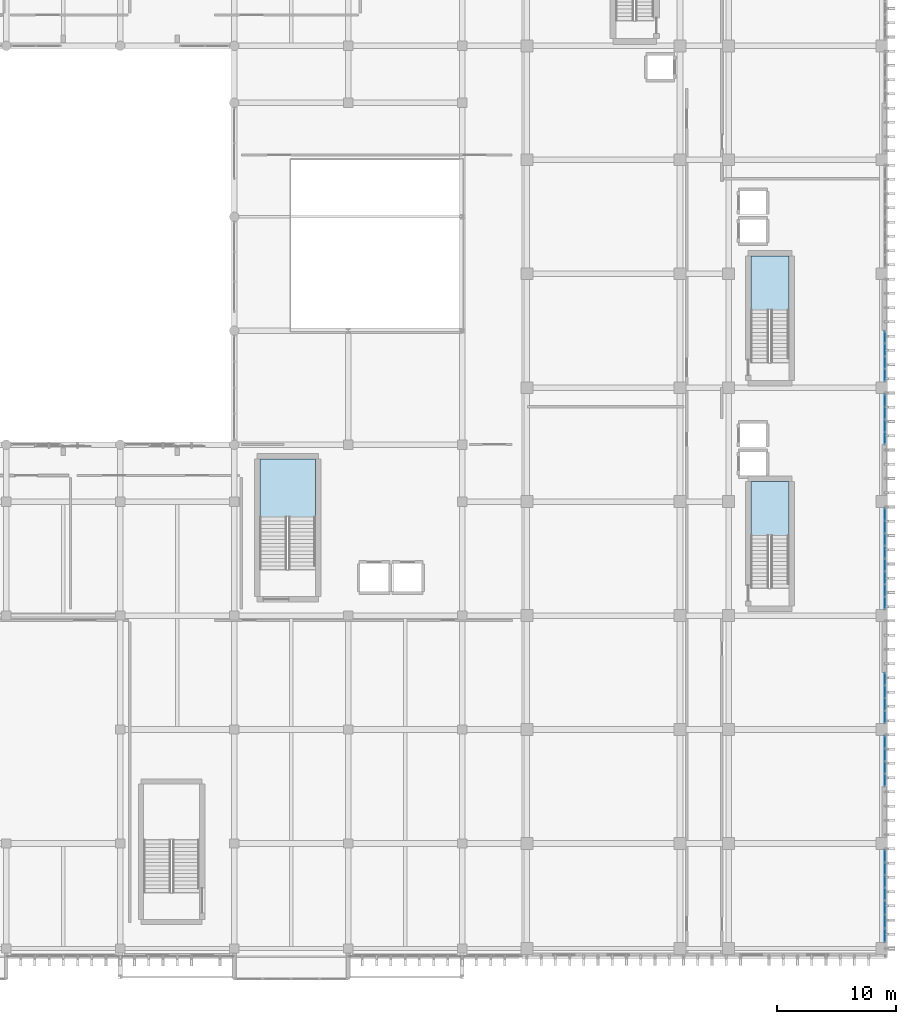
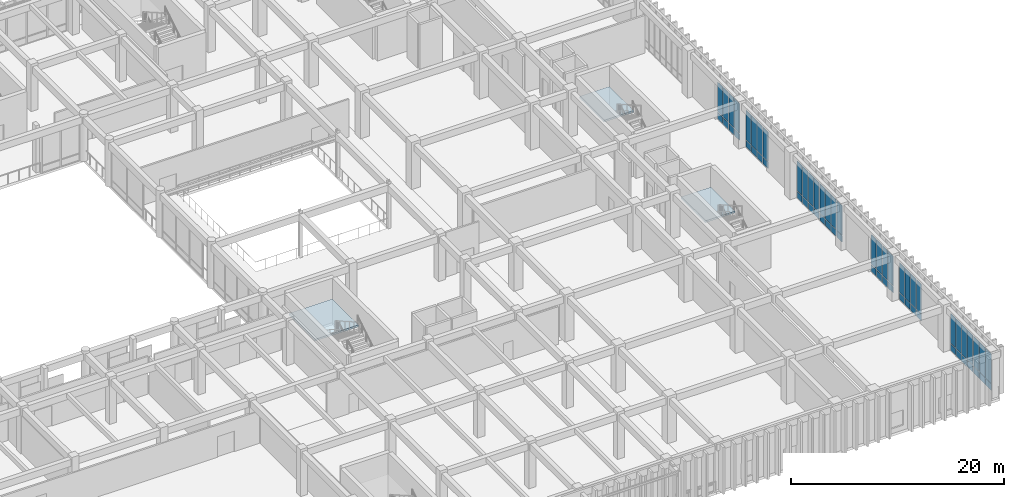
# One storey, part 96 of 134: 62 plates, 3 slabs, 11 elements without a shape of their own.
"""IFC4 building model written with IfcOpenShell, lengths in metres."""

from ifc_helpers import new_model, si_unit, direction, frame, origin, origin_2d, place, context, subcontext, project, spatial, polyline, rectangle, outline, extrude, material, layer, layer_set, type_object, element, aggregate, save


model = new_model("IFC4")

# Units and contexts
model_context = context("Model", 3, precision=1e-05, world=origin(), true_north=direction((0.0, 1.0)))
body_context = subcontext(model_context, "Body", "Model", "MODEL_VIEW")
ifc_project = project(units=[si_unit("LENGTHUNIT", "METRE"), si_unit("AREAUNIT", "SQUARE_METRE"), si_unit("VOLUMEUNIT", "CUBIC_METRE"), si_unit("PLANEANGLEUNIT", "RADIAN"), si_unit("MASSUNIT", "GRAM", prefix="KILO")], contexts=[model_context])

# Site, building, storey
site_placement = place(None, origin())
site = spatial("IfcSite", under=ifc_project, at=site_placement, CompositionType="ELEMENT")
building_placement = place(site_placement, origin())
building = spatial("IfcBuilding", under=site, at=building_placement, Name="Nakhvara Creek Congress Hotel", CompositionType="ELEMENT")
storey_placement = place(building_placement, frame((0.0, 0.0, 6.0)))
storey = spatial("IfcBuildingStorey", under=building, at=storey_placement, Name="L01", CompositionType="ELEMENT", Elevation=6.0)

# Curtain wall, plates
ifc_material_1 = material(Name="Bronze-anodised aluminium AW-6063-T6 and double-silver low-E glass", Category="aluminium")
ifc_layer_1 = layer(ifc_material_1, 0.199951171875)
ifc_layer_set_1 = layer_set([ifc_layer_1], Name="Bronze-anodised aluminium AW-6063-T6 and double-silver low-E glass")
curtain_wall_type = type_object("IfcCurtainWallType", Name="CW-HTL-UNIT", PredefinedType="USERDEFINED", material=ifc_layer_set_1)
curtain_wall_1_placement = place(storey_placement, origin())
curtain_wall_1 = element("IfcCurtainWall", 1, at=curtain_wall_1_placement, inside=storey, type_object=curtain_wall_type, Name="Curtain Wall CW106", ObjectType="UNITISED", PredefinedType="USERDEFINED")
ifc_material_2 = material(Name="Double-silver solar-control low-E insulated glass", Category="glass")
plate_type = type_object("IfcPlateType", Name="PNL-GLZ-120X250", PredefinedType="CURTAIN_PANEL", material=ifc_material_2)
plate_1_placement = place(storey_placement, frame((179.60009765625, 4.194580078125, 0.06494140625), z_axis=(0.0, 0.0, 1.0), x_axis=(0.0, -1.0, 0.0)))
plate_1 = element("IfcPlate", 2, at=plate_1_placement, type_object=plate_type, Name="CW106 panel 1.1", PredefinedType="CURTAIN_PANEL", context=body_context, shape_type="SweptSolid", body=[
    extrude(rectangle(XDim=1.080810546875, YDim=0.028076171875, at=origin_2d()), origin(), (0.0, 0.0, 1.0), 0.75244140625),
])
plate_2_placement = place(storey_placement, frame((179.60009765625, 4.194580078125, 0.882568359375), z_axis=(0.0, 0.0, 1.0), x_axis=(0.0, -1.0, 0.0)))
plate_2 = element("IfcPlate", 3, at=plate_2_placement, type_object=plate_type, Name="CW106 panel 1.2", PredefinedType="CURTAIN_PANEL", context=body_context, shape_type="SweptSolid", body=[
    extrude(rectangle(XDim=1.080810546875, YDim=0.028076171875, at=origin_2d()), origin(), (0.0, 0.0, 1.0), 3.39453125),
])
plate_3_placement = place(storey_placement, frame((179.60009765625, 3.032470703125, 0.06494140625), z_axis=(0.0, 0.0, 1.0), x_axis=(0.0, -1.0, 0.0)))
plate_3 = element("IfcPlate", 4, at=plate_3_placement, type_object=plate_type, Name="CW106 panel 2.1", PredefinedType="CURTAIN_PANEL", context=body_context, shape_type="SweptSolid", body=[
    extrude(rectangle(XDim=1.11328125, YDim=0.028076171875, at=origin_2d()), origin(), (0.0, 0.0, 1.0), 0.75244140625),
])
plate_4_placement = place(storey_placement, frame((179.60009765625, 3.032470703125, 0.882568359375), z_axis=(0.0, 0.0, 1.0), x_axis=(0.0, -1.0, 0.0)))
plate_4 = element("IfcPlate", 5, at=plate_4_placement, type_object=plate_type, Name="CW106 panel 2.2", PredefinedType="CURTAIN_PANEL", context=body_context, shape_type="SweptSolid", body=[
    extrude(rectangle(XDim=1.11328125, YDim=0.028076171875, at=origin_2d()), origin(), (0.0, 0.0, 1.0), 3.39453125),
])
plate_5_placement = place(storey_placement, frame((179.60009765625, 1.870361328125, 0.06494140625), z_axis=(0.0, 0.0, 1.0), x_axis=(0.0, -1.0, 0.0)))
plate_5 = element("IfcPlate", 6, at=plate_5_placement, type_object=plate_type, Name="CW106 panel 3.1", PredefinedType="CURTAIN_PANEL", context=body_context, shape_type="SweptSolid", body=[
    extrude(rectangle(XDim=1.080810546875, YDim=0.028076171875, at=origin_2d()), origin(), (0.0, 0.0, 1.0), 0.75244140625),
])
plate_6_placement = place(storey_placement, frame((179.60009765625, 1.870361328125, 0.882568359375), z_axis=(0.0, 0.0, 1.0), x_axis=(0.0, -1.0, 0.0)))
plate_6 = element("IfcPlate", 7, at=plate_6_placement, type_object=plate_type, Name="CW106 panel 3.2", PredefinedType="CURTAIN_PANEL", context=body_context, shape_type="SweptSolid", body=[
    extrude(rectangle(XDim=1.080810546875, YDim=0.028076171875, at=origin_2d()), origin(), (0.0, 0.0, 1.0), 3.39453125),
])
aggregate(curtain_wall_1, [plate_1, plate_2, plate_3, plate_4, plate_5, plate_6])

curtain_wall_2_placement = place(storey_placement, origin())
curtain_wall_2 = element("IfcCurtainWall", 8, at=curtain_wall_2_placement, inside=storey, type_object=curtain_wall_type, Name="Curtain Wall CW107", ObjectType="UNITISED", PredefinedType="USERDEFINED")
plate_7_placement = place(storey_placement, frame((179.60009765625, 8.533203125, 0.06494140625), z_axis=(0.0, 0.0, 1.0), x_axis=(0.0, -1.0, 0.0)))
plate_7 = element("IfcPlate", 9, at=plate_7_placement, type_object=plate_type, Name="CW107 panel 1.1", PredefinedType="CURTAIN_PANEL", context=body_context, shape_type="SweptSolid", body=[
    extrude(rectangle(XDim=0.9736328125, YDim=0.028076171875, at=origin_2d()), origin(), (0.0, 0.0, 1.0), 0.75244140625),
])
plate_8_placement = place(storey_placement, frame((179.60009765625, 8.533203125, 0.882568359375), z_axis=(0.0, 0.0, 1.0), x_axis=(0.0, -1.0, 0.0)))
plate_8 = element("IfcPlate", 10, at=plate_8_placement, type_object=plate_type, Name="CW107 panel 1.2", PredefinedType="CURTAIN_PANEL", context=body_context, shape_type="SweptSolid", body=[
    extrude(rectangle(XDim=0.9736328125, YDim=0.028076171875, at=origin_2d()), origin(), (0.0, 0.0, 1.0), 3.39453125),
])
plate_9_placement = place(storey_placement, frame((179.60009765625, 7.47802734375, 0.06494140625), z_axis=(0.0, 0.0, 1.0), x_axis=(0.0, -1.0, 0.0)))
plate_9 = element("IfcPlate", 11, at=plate_9_placement, type_object=plate_type, Name="CW107 panel 2.1", PredefinedType="CURTAIN_PANEL", context=body_context, shape_type="SweptSolid", body=[
    extrude(rectangle(XDim=1.00634765625, YDim=0.028076171875, at=origin_2d()), origin(), (0.0, 0.0, 1.0), 0.75244140625),
])
plate_10_placement = place(storey_placement, frame((179.60009765625, 7.47802734375, 0.882568359375), z_axis=(0.0, 0.0, 1.0), x_axis=(0.0, -1.0, 0.0)))
plate_10 = element("IfcPlate", 12, at=plate_10_placement, type_object=plate_type, Name="CW107 panel 2.2", PredefinedType="CURTAIN_PANEL", context=body_context, shape_type="SweptSolid", body=[
    extrude(rectangle(XDim=1.00634765625, YDim=0.028076171875, at=origin_2d()), origin(), (0.0, 0.0, 1.0), 3.39453125),
])
plate_11_placement = place(storey_placement, frame((179.60009765625, 6.406982421875, 0.06494140625), z_axis=(0.0, 0.0, 1.0), x_axis=(0.0, -1.0, 0.0)))
plate_11 = element("IfcPlate", 13, at=plate_11_placement, type_object=plate_type, Name="CW107 panel 3.1", PredefinedType="CURTAIN_PANEL", context=body_context, shape_type="SweptSolid", body=[
    extrude(rectangle(XDim=1.00634765625, YDim=0.028076171875, at=origin_2d()), origin(), (0.0, 0.0, 1.0), 0.75244140625),
])
plate_12_placement = place(storey_placement, frame((179.60009765625, 6.406982421875, 0.882568359375), z_axis=(0.0, 0.0, 1.0), x_axis=(0.0, -1.0, 0.0)))
plate_12 = element("IfcPlate", 14, at=plate_12_placement, type_object=plate_type, Name="CW107 panel 3.2", PredefinedType="CURTAIN_PANEL", context=body_context, shape_type="SweptSolid", body=[
    extrude(rectangle(XDim=1.00634765625, YDim=0.028076171875, at=origin_2d()), origin(), (0.0, 0.0, 1.0), 3.39453125),
])
plate_13_placement = place(storey_placement, frame((179.60009765625, 5.351806640625, 0.06494140625), z_axis=(0.0, 0.0, 1.0), x_axis=(0.0, -1.0, 0.0)))
plate_13 = element("IfcPlate", 15, at=plate_13_placement, type_object=plate_type, Name="CW107 panel 4.1", PredefinedType="CURTAIN_PANEL", context=body_context, shape_type="SweptSolid", body=[
    extrude(rectangle(XDim=0.9736328125, YDim=0.028076171875, at=origin_2d()), origin(), (0.0, 0.0, 1.0), 0.75244140625),
])
plate_14_placement = place(storey_placement, frame((179.60009765625, 5.351806640625, 0.882568359375), z_axis=(0.0, 0.0, 1.0), x_axis=(0.0, -1.0, 0.0)))
plate_14 = element("IfcPlate", 16, at=plate_14_placement, type_object=plate_type, Name="CW107 panel 4.2", PredefinedType="CURTAIN_PANEL", context=body_context, shape_type="SweptSolid", body=[
    extrude(rectangle(XDim=0.9736328125, YDim=0.028076171875, at=origin_2d()), origin(), (0.0, 0.0, 1.0), 3.39453125),
])
aggregate(curtain_wall_2, [plate_7, plate_8, plate_9, plate_10, plate_11, plate_12, plate_13, plate_14])

curtain_wall_3_placement = place(storey_placement, origin())
curtain_wall_3 = element("IfcCurtainWall", 17, at=curtain_wall_3_placement, inside=storey, type_object=curtain_wall_type, Name="Curtain Wall CW108", ObjectType="UNITISED", PredefinedType="USERDEFINED")
plate_15_placement = place(storey_placement, frame((179.60009765625, 18.133056640625, 0.06494140625), z_axis=(0.0, 0.0, 1.0), x_axis=(0.0, -1.0, 0.0)))
plate_15 = element("IfcPlate", 18, at=plate_15_placement, type_object=plate_type, Name="CW108 panel 1.1", PredefinedType="CURTAIN_PANEL", context=body_context, shape_type="SweptSolid", body=[
    extrude(rectangle(XDim=0.9736328125, YDim=0.028076171875, at=origin_2d()), origin(), (0.0, 0.0, 1.0), 0.75244140625),
])
plate_16_placement = place(storey_placement, frame((179.60009765625, 18.133056640625, 0.882568359375), z_axis=(0.0, 0.0, 1.0), x_axis=(0.0, -1.0, 0.0)))
plate_16 = element("IfcPlate", 19, at=plate_16_placement, type_object=plate_type, Name="CW108 panel 1.2", PredefinedType="CURTAIN_PANEL", context=body_context, shape_type="SweptSolid", body=[
    extrude(rectangle(XDim=0.9736328125, YDim=0.028076171875, at=origin_2d()), origin(), (0.0, 0.0, 1.0), 3.39453125),
])
plate_17_placement = place(storey_placement, frame((179.60009765625, 17.078125, 0.06494140625), z_axis=(0.0, 0.0, 1.0), x_axis=(0.0, -1.0, 0.0)))
plate_17 = element("IfcPlate", 20, at=plate_17_placement, type_object=plate_type, Name="CW108 panel 2.1", PredefinedType="CURTAIN_PANEL", context=body_context, shape_type="SweptSolid", body=[
    extrude(rectangle(XDim=1.00634765625, YDim=0.028076171875, at=origin_2d()), origin(), (0.0, 0.0, 1.0), 0.75244140625),
])
plate_18_placement = place(storey_placement, frame((179.60009765625, 17.078125, 0.882568359375), z_axis=(0.0, 0.0, 1.0), x_axis=(0.0, -1.0, 0.0)))
plate_18 = element("IfcPlate", 21, at=plate_18_placement, type_object=plate_type, Name="CW108 panel 2.2", PredefinedType="CURTAIN_PANEL", context=body_context, shape_type="SweptSolid", body=[
    extrude(rectangle(XDim=1.00634765625, YDim=0.028076171875, at=origin_2d()), origin(), (0.0, 0.0, 1.0), 3.39453125),
])
plate_19_placement = place(storey_placement, frame((179.60009765625, 16.0068359375, 0.06494140625), z_axis=(0.0, 0.0, 1.0), x_axis=(0.0, -1.0, 0.0)))
plate_19 = element("IfcPlate", 22, at=plate_19_placement, type_object=plate_type, Name="CW108 panel 3.1", PredefinedType="CURTAIN_PANEL", context=body_context, shape_type="SweptSolid", body=[
    extrude(rectangle(XDim=1.00634765625, YDim=0.028076171875, at=origin_2d()), origin(), (0.0, 0.0, 1.0), 0.75244140625),
])
plate_20_placement = place(storey_placement, frame((179.60009765625, 16.0068359375, 0.882568359375), z_axis=(0.0, 0.0, 1.0), x_axis=(0.0, -1.0, 0.0)))
plate_20 = element("IfcPlate", 23, at=plate_20_placement, type_object=plate_type, Name="CW108 panel 3.2", PredefinedType="CURTAIN_PANEL", context=body_context, shape_type="SweptSolid", body=[
    extrude(rectangle(XDim=1.00634765625, YDim=0.028076171875, at=origin_2d()), origin(), (0.0, 0.0, 1.0), 3.39453125),
])
plate_21_placement = place(storey_placement, frame((179.60009765625, 14.951904296875, 0.06494140625), z_axis=(0.0, 0.0, 1.0), x_axis=(0.0, -1.0, 0.0)))
plate_21 = element("IfcPlate", 24, at=plate_21_placement, type_object=plate_type, Name="CW108 panel 4.1", PredefinedType="CURTAIN_PANEL", context=body_context, shape_type="SweptSolid", body=[
    extrude(rectangle(XDim=0.9736328125, YDim=0.028076171875, at=origin_2d()), origin(), (0.0, 0.0, 1.0), 0.75244140625),
])
plate_22_placement = place(storey_placement, frame((179.60009765625, 14.951904296875, 0.882568359375), z_axis=(0.0, 0.0, 1.0), x_axis=(0.0, -1.0, 0.0)))
plate_22 = element("IfcPlate", 25, at=plate_22_placement, type_object=plate_type, Name="CW108 panel 4.2", PredefinedType="CURTAIN_PANEL", context=body_context, shape_type="SweptSolid", body=[
    extrude(rectangle(XDim=0.9736328125, YDim=0.028076171875, at=origin_2d()), origin(), (0.0, 0.0, 1.0), 3.39453125),
])
aggregate(curtain_wall_3, [plate_15, plate_16, plate_17, plate_18, plate_19, plate_20, plate_21, plate_22])

curtain_wall_4_placement = place(storey_placement, origin())
curtain_wall_4 = element("IfcCurtainWall", 26, at=curtain_wall_4_placement, inside=storey, type_object=curtain_wall_type, Name="Curtain Wall CW109", ObjectType="UNITISED", PredefinedType="USERDEFINED")
plate_23_placement = place(storey_placement, frame((179.60009765625, 23.4482421875, 0.06494140625), z_axis=(0.0, 0.0, 1.0), x_axis=(0.0, -1.0, 0.0)))
plate_23 = element("IfcPlate", 27, at=plate_23_placement, type_object=plate_type, Name="CW109 panel 1.1", PredefinedType="CURTAIN_PANEL", context=body_context, shape_type="SweptSolid", body=[
    extrude(rectangle(XDim=0.9736328125, YDim=0.028076171875, at=origin_2d()), origin(), (0.0, 0.0, 1.0), 0.75244140625),
])
plate_24_placement = place(storey_placement, frame((179.60009765625, 23.4482421875, 0.882568359375), z_axis=(0.0, 0.0, 1.0), x_axis=(0.0, -1.0, 0.0)))
plate_24 = element("IfcPlate", 28, at=plate_24_placement, type_object=plate_type, Name="CW109 panel 1.2", PredefinedType="CURTAIN_PANEL", context=body_context, shape_type="SweptSolid", body=[
    extrude(rectangle(XDim=0.9736328125, YDim=0.028076171875, at=origin_2d()), origin(), (0.0, 0.0, 1.0), 3.39453125),
])
plate_25_placement = place(storey_placement, frame((179.60009765625, 22.39306640625, 0.06494140625), z_axis=(0.0, 0.0, 1.0), x_axis=(0.0, -1.0, 0.0)))
plate_25 = element("IfcPlate", 29, at=plate_25_placement, type_object=plate_type, Name="CW109 panel 2.1", PredefinedType="CURTAIN_PANEL", context=body_context, shape_type="SweptSolid", body=[
    extrude(rectangle(XDim=1.00634765625, YDim=0.028076171875, at=origin_2d()), origin(), (0.0, 0.0, 1.0), 0.75244140625),
])
plate_26_placement = place(storey_placement, frame((179.60009765625, 22.39306640625, 0.882568359375), z_axis=(0.0, 0.0, 1.0), x_axis=(0.0, -1.0, 0.0)))
plate_26 = element("IfcPlate", 30, at=plate_26_placement, type_object=plate_type, Name="CW109 panel 2.2", PredefinedType="CURTAIN_PANEL", context=body_context, shape_type="SweptSolid", body=[
    extrude(rectangle(XDim=1.00634765625, YDim=0.028076171875, at=origin_2d()), origin(), (0.0, 0.0, 1.0), 3.39453125),
])
plate_27_placement = place(storey_placement, frame((179.60009765625, 21.32177734375, 0.06494140625), z_axis=(0.0, 0.0, 1.0), x_axis=(0.0, -1.0, 0.0)))
plate_27 = element("IfcPlate", 31, at=plate_27_placement, type_object=plate_type, Name="CW109 panel 3.1", PredefinedType="CURTAIN_PANEL", context=body_context, shape_type="SweptSolid", body=[
    extrude(rectangle(XDim=1.00634765625, YDim=0.028076171875, at=origin_2d()), origin(), (0.0, 0.0, 1.0), 0.75244140625),
])
plate_28_placement = place(storey_placement, frame((179.60009765625, 21.32177734375, 0.882568359375), z_axis=(0.0, 0.0, 1.0), x_axis=(0.0, -1.0, 0.0)))
plate_28 = element("IfcPlate", 32, at=plate_28_placement, type_object=plate_type, Name="CW109 panel 3.2", PredefinedType="CURTAIN_PANEL", context=body_context, shape_type="SweptSolid", body=[
    extrude(rectangle(XDim=1.00634765625, YDim=0.028076171875, at=origin_2d()), origin(), (0.0, 0.0, 1.0), 3.39453125),
])
plate_29_placement = place(storey_placement, frame((179.60009765625, 20.266845703125, 0.06494140625), z_axis=(0.0, 0.0, 1.0), x_axis=(0.0, -1.0, 0.0)))
plate_29 = element("IfcPlate", 33, at=plate_29_placement, type_object=plate_type, Name="CW109 panel 4.1", PredefinedType="CURTAIN_PANEL", context=body_context, shape_type="SweptSolid", body=[
    extrude(rectangle(XDim=0.9736328125, YDim=0.028076171875, at=origin_2d()), origin(), (0.0, 0.0, 1.0), 0.75244140625),
])
plate_30_placement = place(storey_placement, frame((179.60009765625, 20.266845703125, 0.882568359375), z_axis=(0.0, 0.0, 1.0), x_axis=(0.0, -1.0, 0.0)))
plate_30 = element("IfcPlate", 34, at=plate_30_placement, type_object=plate_type, Name="CW109 panel 4.2", PredefinedType="CURTAIN_PANEL", context=body_context, shape_type="SweptSolid", body=[
    extrude(rectangle(XDim=0.9736328125, YDim=0.028076171875, at=origin_2d()), origin(), (0.0, 0.0, 1.0), 3.39453125),
])
aggregate(curtain_wall_4, [plate_23, plate_24, plate_25, plate_26, plate_27, plate_28, plate_29, plate_30])

curtain_wall_5_placement = place(storey_placement, origin())
curtain_wall_5 = element("IfcCurtainWall", 35, at=curtain_wall_5_placement, inside=storey, type_object=curtain_wall_type, Name="Curtain Wall CW110", ObjectType="UNITISED", PredefinedType="USERDEFINED")
plate_31_placement = place(storey_placement, frame((179.60009765625, 33.048095703125, 0.06494140625), z_axis=(0.0, 0.0, 1.0), x_axis=(0.0, -1.0, 0.0)))
plate_31 = element("IfcPlate", 36, at=plate_31_placement, type_object=plate_type, Name="CW110 panel 1.1", PredefinedType="CURTAIN_PANEL", context=body_context, shape_type="SweptSolid", body=[
    extrude(rectangle(XDim=0.9736328125, YDim=0.028076171875, at=origin_2d()), origin(), (0.0, 0.0, 1.0), 0.75244140625),
])
plate_32_placement = place(storey_placement, frame((179.60009765625, 33.048095703125, 0.882568359375), z_axis=(0.0, 0.0, 1.0), x_axis=(0.0, -1.0, 0.0)))
plate_32 = element("IfcPlate", 37, at=plate_32_placement, type_object=plate_type, Name="CW110 panel 1.2", PredefinedType="CURTAIN_PANEL", context=body_context, shape_type="SweptSolid", body=[
    extrude(rectangle(XDim=0.9736328125, YDim=0.028076171875, at=origin_2d()), origin(), (0.0, 0.0, 1.0), 3.39453125),
])
plate_33_placement = place(storey_placement, frame((179.60009765625, 31.9931640625, 0.06494140625), z_axis=(0.0, 0.0, 1.0), x_axis=(0.0, -1.0, 0.0)))
plate_33 = element("IfcPlate", 38, at=plate_33_placement, type_object=plate_type, Name="CW110 panel 2.1", PredefinedType="CURTAIN_PANEL", context=body_context, shape_type="SweptSolid", body=[
    extrude(rectangle(XDim=1.00634765625, YDim=0.028076171875, at=origin_2d()), origin(), (0.0, 0.0, 1.0), 0.75244140625),
])
plate_34_placement = place(storey_placement, frame((179.60009765625, 31.9931640625, 0.882568359375), z_axis=(0.0, 0.0, 1.0), x_axis=(0.0, -1.0, 0.0)))
plate_34 = element("IfcPlate", 39, at=plate_34_placement, type_object=plate_type, Name="CW110 panel 2.2", PredefinedType="CURTAIN_PANEL", context=body_context, shape_type="SweptSolid", body=[
    extrude(rectangle(XDim=1.00634765625, YDim=0.028076171875, at=origin_2d()), origin(), (0.0, 0.0, 1.0), 3.39453125),
])
plate_35_placement = place(storey_placement, frame((179.60009765625, 30.921875, 0.06494140625), z_axis=(0.0, 0.0, 1.0), x_axis=(0.0, -1.0, 0.0)))
plate_35 = element("IfcPlate", 40, at=plate_35_placement, type_object=plate_type, Name="CW110 panel 3.1", PredefinedType="CURTAIN_PANEL", context=body_context, shape_type="SweptSolid", body=[
    extrude(rectangle(XDim=1.00634765625, YDim=0.028076171875, at=origin_2d()), origin(), (0.0, 0.0, 1.0), 0.75244140625),
])
plate_36_placement = place(storey_placement, frame((179.60009765625, 30.921875, 0.882568359375), z_axis=(0.0, 0.0, 1.0), x_axis=(0.0, -1.0, 0.0)))
plate_36 = element("IfcPlate", 41, at=plate_36_placement, type_object=plate_type, Name="CW110 panel 3.2", PredefinedType="CURTAIN_PANEL", context=body_context, shape_type="SweptSolid", body=[
    extrude(rectangle(XDim=1.00634765625, YDim=0.028076171875, at=origin_2d()), origin(), (0.0, 0.0, 1.0), 3.39453125),
])
plate_37_placement = place(storey_placement, frame((179.60009765625, 29.866943359375, 0.06494140625), z_axis=(0.0, 0.0, 1.0), x_axis=(0.0, -1.0, 0.0)))
plate_37 = element("IfcPlate", 42, at=plate_37_placement, type_object=plate_type, Name="CW110 panel 4.1", PredefinedType="CURTAIN_PANEL", context=body_context, shape_type="SweptSolid", body=[
    extrude(rectangle(XDim=0.9736328125, YDim=0.028076171875, at=origin_2d()), origin(), (0.0, 0.0, 1.0), 0.75244140625),
])
plate_38_placement = place(storey_placement, frame((179.60009765625, 29.866943359375, 0.882568359375), z_axis=(0.0, 0.0, 1.0), x_axis=(0.0, -1.0, 0.0)))
plate_38 = element("IfcPlate", 43, at=plate_38_placement, type_object=plate_type, Name="CW110 panel 4.2", PredefinedType="CURTAIN_PANEL", context=body_context, shape_type="SweptSolid", body=[
    extrude(rectangle(XDim=0.9736328125, YDim=0.028076171875, at=origin_2d()), origin(), (0.0, 0.0, 1.0), 3.39453125),
])
aggregate(curtain_wall_5, [plate_31, plate_32, plate_33, plate_34, plate_35, plate_36, plate_37, plate_38])

curtain_wall_6_placement = place(storey_placement, origin())
curtain_wall_6 = element("IfcCurtainWall", 44, at=curtain_wall_6_placement, inside=storey, type_object=curtain_wall_type, Name="Curtain Wall CW111", ObjectType="UNITISED", PredefinedType="USERDEFINED")
plate_39_placement = place(storey_placement, frame((179.60009765625, 37.3330078125, 0.06494140625), z_axis=(0.0, 0.0, 1.0), x_axis=(0.0, -1.0, 0.0)))
plate_39 = element("IfcPlate", 45, at=plate_39_placement, type_object=plate_type, Name="CW111 panel 1.1", PredefinedType="CURTAIN_PANEL", context=body_context, shape_type="SweptSolid", body=[
    extrude(rectangle(XDim=0.9736328125, YDim=0.028076171875, at=origin_2d()), origin(), (0.0, 0.0, 1.0), 0.75244140625),
])
plate_40_placement = place(storey_placement, frame((179.60009765625, 37.3330078125, 0.882568359375), z_axis=(0.0, 0.0, 1.0), x_axis=(0.0, -1.0, 0.0)))
plate_40 = element("IfcPlate", 46, at=plate_40_placement, type_object=plate_type, Name="CW111 panel 1.2", PredefinedType="CURTAIN_PANEL", context=body_context, shape_type="SweptSolid", body=[
    extrude(rectangle(XDim=0.9736328125, YDim=0.028076171875, at=origin_2d()), origin(), (0.0, 0.0, 1.0), 3.39453125),
])
plate_41_placement = place(storey_placement, frame((179.60009765625, 36.278076171875, 0.06494140625), z_axis=(0.0, 0.0, 1.0), x_axis=(0.0, -1.0, 0.0)))
plate_41 = element("IfcPlate", 47, at=plate_41_placement, type_object=plate_type, Name="CW111 panel 2.1", PredefinedType="CURTAIN_PANEL", context=body_context, shape_type="SweptSolid", body=[
    extrude(rectangle(XDim=1.00634765625, YDim=0.028076171875, at=origin_2d()), origin(), (0.0, 0.0, 1.0), 0.75244140625),
])
plate_42_placement = place(storey_placement, frame((179.60009765625, 36.278076171875, 0.882568359375), z_axis=(0.0, 0.0, 1.0), x_axis=(0.0, -1.0, 0.0)))
plate_42 = element("IfcPlate", 48, at=plate_42_placement, type_object=plate_type, Name="CW111 panel 2.2", PredefinedType="CURTAIN_PANEL", context=body_context, shape_type="SweptSolid", body=[
    extrude(rectangle(XDim=1.00634765625, YDim=0.028076171875, at=origin_2d()), origin(), (0.0, 0.0, 1.0), 3.39453125),
])
plate_43_placement = place(storey_placement, frame((179.60009765625, 35.206787109375, 0.06494140625), z_axis=(0.0, 0.0, 1.0), x_axis=(0.0, -1.0, 0.0)))
plate_43 = element("IfcPlate", 49, at=plate_43_placement, type_object=plate_type, Name="CW111 panel 3.1", PredefinedType="CURTAIN_PANEL", context=body_context, shape_type="SweptSolid", body=[
    extrude(rectangle(XDim=1.00634765625, YDim=0.028076171875, at=origin_2d()), origin(), (0.0, 0.0, 1.0), 0.75244140625),
])
plate_44_placement = place(storey_placement, frame((179.60009765625, 35.206787109375, 0.882568359375), z_axis=(0.0, 0.0, 1.0), x_axis=(0.0, -1.0, 0.0)))
plate_44 = element("IfcPlate", 50, at=plate_44_placement, type_object=plate_type, Name="CW111 panel 3.2", PredefinedType="CURTAIN_PANEL", context=body_context, shape_type="SweptSolid", body=[
    extrude(rectangle(XDim=1.00634765625, YDim=0.028076171875, at=origin_2d()), origin(), (0.0, 0.0, 1.0), 3.39453125),
])
plate_45_placement = place(storey_placement, frame((179.60009765625, 34.15185546875, 0.06494140625), z_axis=(0.0, 0.0, 1.0), x_axis=(0.0, -1.0, 0.0)))
plate_45 = element("IfcPlate", 51, at=plate_45_placement, type_object=plate_type, Name="CW111 panel 4.1", PredefinedType="CURTAIN_PANEL", context=body_context, shape_type="SweptSolid", body=[
    extrude(rectangle(XDim=0.9736328125, YDim=0.028076171875, at=origin_2d()), origin(), (0.0, 0.0, 1.0), 0.75244140625),
])
plate_46_placement = place(storey_placement, frame((179.60009765625, 34.15185546875, 0.882568359375), z_axis=(0.0, 0.0, 1.0), x_axis=(0.0, -1.0, 0.0)))
plate_46 = element("IfcPlate", 52, at=plate_46_placement, type_object=plate_type, Name="CW111 panel 4.2", PredefinedType="CURTAIN_PANEL", context=body_context, shape_type="SweptSolid", body=[
    extrude(rectangle(XDim=0.9736328125, YDim=0.028076171875, at=origin_2d()), origin(), (0.0, 0.0, 1.0), 3.39453125),
])
aggregate(curtain_wall_6, [plate_39, plate_40, plate_41, plate_42, plate_43, plate_44, plate_45, plate_46])

curtain_wall_7_placement = place(storey_placement, origin())
curtain_wall_7 = element("IfcCurtainWall", 53, at=curtain_wall_7_placement, inside=storey, type_object=curtain_wall_type, Name="Curtain Wall CW112", ObjectType="UNITISED", PredefinedType="USERDEFINED")
plate_47_placement = place(storey_placement, frame((179.60009765625, 46.93310546875, 0.06494140625), z_axis=(0.0, 0.0, 1.0), x_axis=(0.0, -1.0, 0.0)))
plate_47 = element("IfcPlate", 54, at=plate_47_placement, type_object=plate_type, Name="CW112 panel 1.1", PredefinedType="CURTAIN_PANEL", context=body_context, shape_type="SweptSolid", body=[
    extrude(rectangle(XDim=0.9736328125, YDim=0.028076171875, at=origin_2d()), origin(), (0.0, 0.0, 1.0), 0.75244140625),
])
plate_48_placement = place(storey_placement, frame((179.60009765625, 46.93310546875, 0.882568359375), z_axis=(0.0, 0.0, 1.0), x_axis=(0.0, -1.0, 0.0)))
plate_48 = element("IfcPlate", 55, at=plate_48_placement, type_object=plate_type, Name="CW112 panel 1.2", PredefinedType="CURTAIN_PANEL", context=body_context, shape_type="SweptSolid", body=[
    extrude(rectangle(XDim=0.9736328125, YDim=0.028076171875, at=origin_2d()), origin(), (0.0, 0.0, 1.0), 3.39453125),
])
plate_49_placement = place(storey_placement, frame((179.60009765625, 45.878173828125, 0.06494140625), z_axis=(0.0, 0.0, 1.0), x_axis=(0.0, -1.0, 0.0)))
plate_49 = element("IfcPlate", 56, at=plate_49_placement, type_object=plate_type, Name="CW112 panel 2.1", PredefinedType="CURTAIN_PANEL", context=body_context, shape_type="SweptSolid", body=[
    extrude(rectangle(XDim=1.00634765625, YDim=0.028076171875, at=origin_2d()), origin(), (0.0, 0.0, 1.0), 0.75244140625),
])
plate_50_placement = place(storey_placement, frame((179.60009765625, 45.878173828125, 0.882568359375), z_axis=(0.0, 0.0, 1.0), x_axis=(0.0, -1.0, 0.0)))
plate_50 = element("IfcPlate", 57, at=plate_50_placement, type_object=plate_type, Name="CW112 panel 2.2", PredefinedType="CURTAIN_PANEL", context=body_context, shape_type="SweptSolid", body=[
    extrude(rectangle(XDim=1.00634765625, YDim=0.028076171875, at=origin_2d()), origin(), (0.0, 0.0, 1.0), 3.39453125),
])
plate_51_placement = place(storey_placement, frame((179.60009765625, 44.806884765625, 0.06494140625), z_axis=(0.0, 0.0, 1.0), x_axis=(0.0, -1.0, 0.0)))
plate_51 = element("IfcPlate", 58, at=plate_51_placement, type_object=plate_type, Name="CW112 panel 3.1", PredefinedType="CURTAIN_PANEL", context=body_context, shape_type="SweptSolid", body=[
    extrude(rectangle(XDim=1.00634765625, YDim=0.028076171875, at=origin_2d()), origin(), (0.0, 0.0, 1.0), 0.75244140625),
])
plate_52_placement = place(storey_placement, frame((179.60009765625, 44.806884765625, 0.882568359375), z_axis=(0.0, 0.0, 1.0), x_axis=(0.0, -1.0, 0.0)))
plate_52 = element("IfcPlate", 59, at=plate_52_placement, type_object=plate_type, Name="CW112 panel 3.2", PredefinedType="CURTAIN_PANEL", context=body_context, shape_type="SweptSolid", body=[
    extrude(rectangle(XDim=1.00634765625, YDim=0.028076171875, at=origin_2d()), origin(), (0.0, 0.0, 1.0), 3.39453125),
])
plate_53_placement = place(storey_placement, frame((179.60009765625, 43.751953125, 0.06494140625), z_axis=(0.0, 0.0, 1.0), x_axis=(0.0, -1.0, 0.0)))
plate_53 = element("IfcPlate", 60, at=plate_53_placement, type_object=plate_type, Name="CW112 panel 4.1", PredefinedType="CURTAIN_PANEL", context=body_context, shape_type="SweptSolid", body=[
    extrude(rectangle(XDim=0.9736328125, YDim=0.028076171875, at=origin_2d()), origin(), (0.0, 0.0, 1.0), 0.75244140625),
])
plate_54_placement = place(storey_placement, frame((179.60009765625, 43.751953125, 0.882568359375), z_axis=(0.0, 0.0, 1.0), x_axis=(0.0, -1.0, 0.0)))
plate_54 = element("IfcPlate", 61, at=plate_54_placement, type_object=plate_type, Name="CW112 panel 4.2", PredefinedType="CURTAIN_PANEL", context=body_context, shape_type="SweptSolid", body=[
    extrude(rectangle(XDim=0.9736328125, YDim=0.028076171875, at=origin_2d()), origin(), (0.0, 0.0, 1.0), 3.39453125),
])
aggregate(curtain_wall_7, [plate_47, plate_48, plate_49, plate_50, plate_51, plate_52, plate_53, plate_54])

curtain_wall_8_placement = place(storey_placement, origin())
curtain_wall_8 = element("IfcCurtainWall", 62, at=curtain_wall_8_placement, inside=storey, type_object=curtain_wall_type, Name="Curtain Wall CW113", ObjectType="UNITISED", PredefinedType="USERDEFINED")
plate_55_placement = place(storey_placement, frame((179.60009765625, 52.248046875, 0.06494140625), z_axis=(0.0, 0.0, 1.0), x_axis=(0.0, -1.0, 0.0)))
plate_55 = element("IfcPlate", 63, at=plate_55_placement, type_object=plate_type, Name="CW113 panel 1.1", PredefinedType="CURTAIN_PANEL", context=body_context, shape_type="SweptSolid", body=[
    extrude(rectangle(XDim=0.9736328125, YDim=0.028076171875, at=origin_2d()), origin(), (0.0, 0.0, 1.0), 0.75244140625),
])
plate_56_placement = place(storey_placement, frame((179.60009765625, 52.248046875, 0.882568359375), z_axis=(0.0, 0.0, 1.0), x_axis=(0.0, -1.0, 0.0)))
plate_56 = element("IfcPlate", 64, at=plate_56_placement, type_object=plate_type, Name="CW113 panel 1.2", PredefinedType="CURTAIN_PANEL", context=body_context, shape_type="SweptSolid", body=[
    extrude(rectangle(XDim=0.9736328125, YDim=0.028076171875, at=origin_2d()), origin(), (0.0, 0.0, 1.0), 3.39453125),
])
plate_57_placement = place(storey_placement, frame((179.60009765625, 51.193115234375, 0.06494140625), z_axis=(0.0, 0.0, 1.0), x_axis=(0.0, -1.0, 0.0)))
plate_57 = element("IfcPlate", 65, at=plate_57_placement, type_object=plate_type, Name="CW113 panel 2.1", PredefinedType="CURTAIN_PANEL", context=body_context, shape_type="SweptSolid", body=[
    extrude(rectangle(XDim=1.00634765625, YDim=0.028076171875, at=origin_2d()), origin(), (0.0, 0.0, 1.0), 0.75244140625),
])
plate_58_placement = place(storey_placement, frame((179.60009765625, 51.193115234375, 0.882568359375), z_axis=(0.0, 0.0, 1.0), x_axis=(0.0, -1.0, 0.0)))
plate_58 = element("IfcPlate", 66, at=plate_58_placement, type_object=plate_type, Name="CW113 panel 2.2", PredefinedType="CURTAIN_PANEL", context=body_context, shape_type="SweptSolid", body=[
    extrude(rectangle(XDim=1.00634765625, YDim=0.028076171875, at=origin_2d()), origin(), (0.0, 0.0, 1.0), 3.39453125),
])
plate_59_placement = place(storey_placement, frame((179.60009765625, 50.121826171875, 0.06494140625), z_axis=(0.0, 0.0, 1.0), x_axis=(0.0, -1.0, 0.0)))
plate_59 = element("IfcPlate", 67, at=plate_59_placement, type_object=plate_type, Name="CW113 panel 3.1", PredefinedType="CURTAIN_PANEL", context=body_context, shape_type="SweptSolid", body=[
    extrude(rectangle(XDim=1.00634765625, YDim=0.028076171875, at=origin_2d()), origin(), (0.0, 0.0, 1.0), 0.75244140625),
])
plate_60_placement = place(storey_placement, frame((179.60009765625, 50.121826171875, 0.882568359375), z_axis=(0.0, 0.0, 1.0), x_axis=(0.0, -1.0, 0.0)))
plate_60 = element("IfcPlate", 68, at=plate_60_placement, type_object=plate_type, Name="CW113 panel 3.2", PredefinedType="CURTAIN_PANEL", context=body_context, shape_type="SweptSolid", body=[
    extrude(rectangle(XDim=1.00634765625, YDim=0.028076171875, at=origin_2d()), origin(), (0.0, 0.0, 1.0), 3.39453125),
])
plate_61_placement = place(storey_placement, frame((179.60009765625, 49.06689453125, 0.06494140625), z_axis=(0.0, 0.0, 1.0), x_axis=(0.0, -1.0, 0.0)))
plate_61 = element("IfcPlate", 69, at=plate_61_placement, type_object=plate_type, Name="CW113 panel 4.1", PredefinedType="CURTAIN_PANEL", context=body_context, shape_type="SweptSolid", body=[
    extrude(rectangle(XDim=0.9736328125, YDim=0.028076171875, at=origin_2d()), origin(), (0.0, 0.0, 1.0), 0.75244140625),
])
plate_62_placement = place(storey_placement, frame((179.60009765625, 49.06689453125, 0.882568359375), z_axis=(0.0, 0.0, 1.0), x_axis=(0.0, -1.0, 0.0)))
plate_62 = element("IfcPlate", 70, at=plate_62_placement, type_object=plate_type, Name="CW113 panel 4.2", PredefinedType="CURTAIN_PANEL", context=body_context, shape_type="SweptSolid", body=[
    extrude(rectangle(XDim=0.9736328125, YDim=0.028076171875, at=origin_2d()), origin(), (0.0, 0.0, 1.0), 3.39453125),
])
aggregate(curtain_wall_8, [plate_55, plate_56, plate_57, plate_58, plate_59, plate_60, plate_61, plate_62])

# Stair, slab
ifc_material_3 = material(Name="Concrete C40/50", Category="concrete")
stair_type_1 = type_object("IfcStairType", Name="ST-CORE-160", PredefinedType="HALF_TURN_STAIR", material=ifc_material_3)
stair_1_placement = place(storey_placement, origin())
stair_1 = element("IfcStair", 71, at=stair_1_placement, inside=storey, type_object=stair_type_1, Name="L01 Protected Exit Stair ST03", PredefinedType="HALF_TURN_STAIR")
ifc_layer_2 = layer(ifc_material_3, 0.199951171875)
ifc_layer_set_2 = layer_set([ifc_layer_2], Name="Concrete C40/50")
slab_type = type_object("IfcSlabType", Name="SL-LAND-200", PredefinedType="LANDING", material=ifc_layer_set_2)
slab_1_placement = place(storey_placement, frame((0.0, 0.0, 2.5)))
slab_1 = element("IfcSlab", 72, at=slab_1_placement, type_object=slab_type, Name="ST03 landing 1", PredefinedType="LANDING", context=body_context, shape_type="SweptSolid", body=[
    extrude(outline(polyline([(171.550048828125, 35.550048828125), (171.550048828125, 40.10009765625), (168.320068359375, 40.10009765625), (168.320068359375, 35.550048828125), (171.550048828125, 35.550048828125)])), origin(), (0.0, 0.0, 1.0), 0.199951171875),
])
aggregate(stair_1, [slab_1])

stair_2_placement = place(storey_placement, origin())
stair_2 = element("IfcStair", 73, at=stair_2_placement, inside=storey, type_object=stair_type_1, Name="L01 Protected Exit Stair ST04", PredefinedType="HALF_TURN_STAIR")
slab_2_placement = place(storey_placement, frame((0.0, 0.0, 2.5)))
slab_2 = element("IfcSlab", 74, at=slab_2_placement, type_object=slab_type, Name="ST04 landing 1", PredefinedType="LANDING", context=body_context, shape_type="SweptSolid", body=[
    extrude(outline(polyline([(171.550048828125, 54.550048828125), (171.550048828125, 59.10009765625), (168.320068359375, 59.10009765625), (168.320068359375, 54.550048828125), (171.550048828125, 54.550048828125)])), origin(), (0.0, 0.0, 1.0), 0.199951171875),
])
aggregate(stair_2, [slab_2])

stair_type_2 = type_object("IfcStairType", Name="ST-CORE-230", PredefinedType="HALF_TURN_STAIR", material=ifc_material_3)
stair_3_placement = place(storey_placement, origin())
stair_3 = element("IfcStair", 75, at=stair_3_placement, inside=storey, type_object=stair_type_2, Name="L01 Protected Exit Stair ST06", PredefinedType="HALF_TURN_STAIR")
slab_3_placement = place(storey_placement, frame((0.0, 0.0, 2.5)))
slab_3 = element("IfcSlab", 76, at=slab_3_placement, type_object=slab_type, Name="ST06 landing 1", PredefinedType="LANDING", context=body_context, shape_type="SweptSolid", body=[
    extrude(outline(polyline([(131.659912109375, 37.090087890625), (131.659912109375, 42.0), (126.949951171875, 42.0), (126.949951171875, 37.090087890625), (131.659912109375, 37.090087890625)])), origin(), (0.0, 0.0, 1.0), 0.199951171875),
])
aggregate(stair_3, [slab_3])

save(model, "model.ifc")
